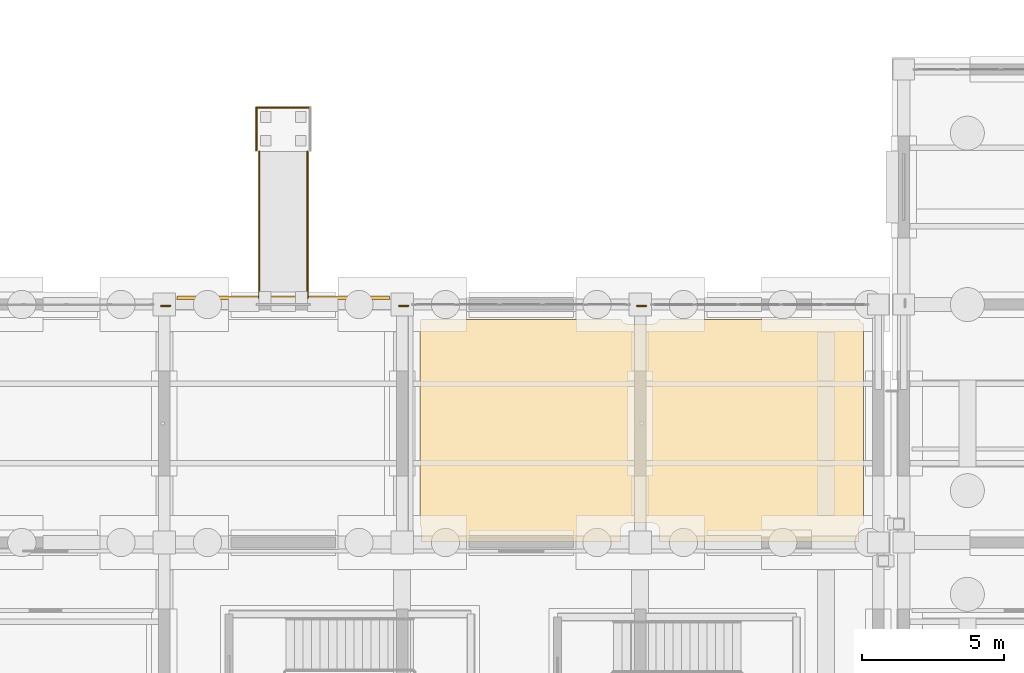
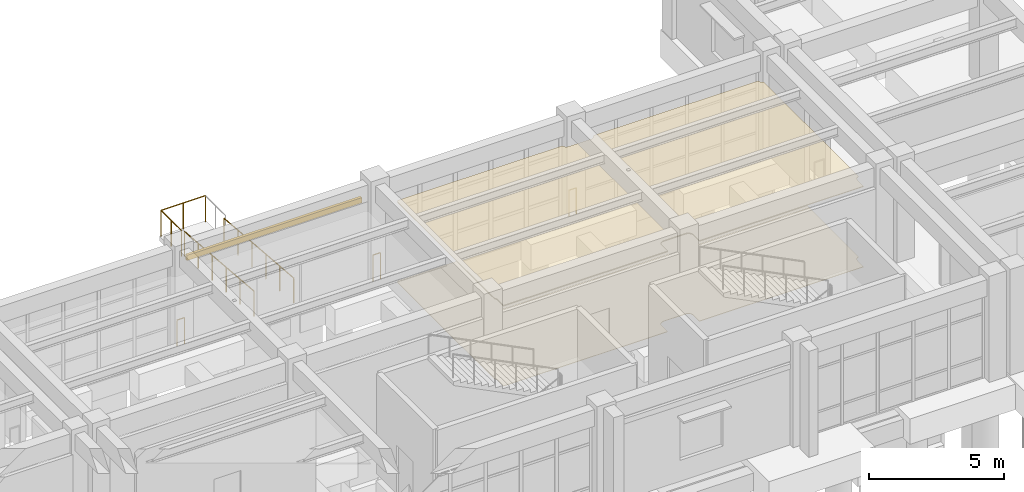
# One storey, part 100 of 111: 7 railings, 3 coverings.
"""IFC4 building model written with IfcOpenShell, lengths in metres."""

from ifc_helpers import new_model, si_unit, direction, frame, origin, origin_2d, place, context, subcontext, project, spatial, polyline, rectangle, circle, outline, extrude, material, layer, layer_set, type_object, element, save


model = new_model("IFC4")

# Units and contexts
model_context = context("Model", 3, precision=1e-05, world=origin(), true_north=direction((0.0, 1.0)))
body_context = subcontext(model_context, "Body", "Model", "MODEL_VIEW")
ifc_project = project(units=[si_unit("LENGTHUNIT", "METRE"), si_unit("AREAUNIT", "SQUARE_METRE"), si_unit("VOLUMEUNIT", "CUBIC_METRE"), si_unit("PLANEANGLEUNIT", "RADIAN"), si_unit("MASSUNIT", "GRAM", prefix="KILO")], contexts=[model_context])

# Site, building, storey
site_placement = place(None, origin())
site = spatial("IfcSite", under=ifc_project, at=site_placement, CompositionType="ELEMENT")
building_placement = place(site_placement, origin())
building = spatial("IfcBuilding", under=site, at=building_placement, Name="Canglan Escarpment Cableway Terminal", CompositionType="ELEMENT")
storey_placement = place(building_placement, frame((0.0, 0.0, 4.800048828125)))
storey = spatial("IfcBuildingStorey", under=building, at=storey_placement, Name="L01", CompositionType="ELEMENT", Elevation=4.800048828125)

# Coverings
ifc_material_1 = material(Name="Moisture-resistant acoustic gypsum ceiling", Category="gypsum")
ifc_layer_1 = layer(ifc_material_1, 0.030029296875, Name="Moisture-resistant acoustic gypsum ceiling")
ifc_layer_set_1 = layer_set([ifc_layer_1], Name="Moisture-resistant acoustic gypsum ceiling")
covering_type_1 = type_object("IfcCoveringType", Name="COV-CEIL-GYPSUM-30", PredefinedType="CEILING", material=ifc_layer_set_1)
covering_1_placement = place(storey_placement, frame((0.0, 0.0, 3.639892578125)))
element("IfcCovering", 1, at=covering_1_placement, inside=storey, type_object=covering_type_1, Name="Souvenir Arcade suspended acoustic ceiling", PredefinedType="CEILING", context=body_context, shape_type="SweptSolid", body=[
    extrude(outline(polyline([(94.419921875, 24.181640625), (94.420166015625, 24.18359375), (94.42041015625, 24.185791015625), (94.4208984375, 24.187744140625), (94.421630859375, 24.189697265625), (94.422607421875, 24.191650390625), (94.423828125, 24.193359375), (94.42529296875, 24.195068359375), (94.4296875, 24.2001953125), (94.430419921875, 24.20068359375), (94.442626953125, 24.21728515625), (94.443115234375, 24.21826171875), (94.453857421875, 24.23583984375), (94.4541015625, 24.23681640625), (94.462890625, 24.25537109375), (94.46337890625, 24.25634765625), (94.46728515625, 24.2666015625), (94.468017578125, 24.2685546875), (94.46875, 24.270263671875), (94.4697265625, 24.271728515625), (94.470947265625, 24.273193359375), (94.472412109375, 24.274658203125), (94.4736328125, 24.27587890625), (94.475341796875, 24.27685546875), (94.476806640625, 24.27783203125), (94.478515625, 24.278564453125), (94.48046875, 24.279296875), (94.482177734375, 24.279541015625), (94.484130859375, 24.27978515625), (94.486083984375, 24.280029296875), (101.513916015625, 24.280029296875), (101.515869140625, 24.27978515625), (101.517822265625, 24.279541015625), (101.51953125, 24.279296875), (101.521484375, 24.278564453125), (101.523193359375, 24.27783203125), (101.524658203125, 24.27685546875), (101.5263671875, 24.27587890625), (101.527587890625, 24.274658203125), (101.529052734375, 24.273193359375), (101.5302734375, 24.271728515625), (101.53125, 24.270263671875), (101.531982421875, 24.2685546875), (101.53271484375, 24.2666015625), (101.53662109375, 24.25634765625), (101.537109375, 24.25537109375), (101.5458984375, 24.23681640625), (101.546142578125, 24.23583984375), (101.556884765625, 24.21826171875), (101.557373046875, 24.21728515625), (101.569580078125, 24.20068359375), (101.5703125, 24.2001953125), (101.583984375, 24.184814453125), (101.584716796875, 24.18408203125), (101.60009765625, 24.17041015625), (101.600830078125, 24.169677734375), (101.617431640625, 24.157470703125), (101.6181640625, 24.15673828125), (101.635986328125, 24.146240234375), (101.63671875, 24.145751953125), (101.655517578125, 24.136962890625), (101.65625, 24.13671875), (101.67578125, 24.129638671875), (101.676513671875, 24.12939453125), (101.696533203125, 24.124267578125), (101.697509765625, 24.124267578125), (101.718017578125, 24.12109375), (101.718994140625, 24.12109375), (101.73974609375, 24.1201171875), (101.740234375, 24.1201171875), (102.659912109375, 24.1201171875), (102.66015625, 24.1201171875), (102.68115234375, 24.12109375), (102.681884765625, 24.12109375), (102.702392578125, 24.124267578125), (102.703369140625, 24.124267578125), (102.723388671875, 24.12939453125), (102.724365234375, 24.129638671875), (102.74365234375, 24.13671875), (102.74462890625, 24.136962890625), (102.76318359375, 24.145751953125), (102.76416015625, 24.146240234375), (102.78173828125, 24.15673828125), (102.78271484375, 24.157470703125), (102.79931640625, 24.169677734375), (102.7998046875, 24.17041015625), (102.815185546875, 24.18408203125), (102.81591796875, 24.184814453125), (102.82958984375, 24.2001953125), (102.830322265625, 24.20068359375), (102.842529296875, 24.21728515625), (102.84326171875, 24.21826171875), (102.853759765625, 24.23583984375), (102.854248046875, 24.23681640625), (102.863037109375, 24.25537109375), (102.86328125, 24.25634765625), (102.8671875, 24.2666015625), (102.867919921875, 24.2685546875), (102.868896484375, 24.270263671875), (102.869873046875, 24.271728515625), (102.87109375, 24.273193359375), (102.872314453125, 24.274658203125), (102.873779296875, 24.27587890625), (102.875244140625, 24.27685546875), (102.876953125, 24.27783203125), (102.878662109375, 24.278564453125), (102.88037109375, 24.279296875), (102.882080078125, 24.279541015625), (102.884033203125, 24.27978515625), (102.885986328125, 24.280029296875), (109.9140625, 24.280029296875), (109.916015625, 24.27978515625), (109.917724609375, 24.279541015625), (109.919677734375, 24.279296875), (109.92138671875, 24.278564453125), (109.923095703125, 24.27783203125), (109.9248046875, 24.27685546875), (109.92626953125, 24.27587890625), (109.927734375, 24.274658203125), (109.928955078125, 24.273193359375), (109.93017578125, 24.271728515625), (109.93115234375, 24.270263671875), (109.93212890625, 24.2685546875), (109.932861328125, 24.2666015625), (109.9365234375, 24.25634765625), (109.93701171875, 24.25537109375), (109.94580078125, 24.23681640625), (109.9462890625, 24.23583984375), (109.956787109375, 24.21826171875), (109.95751953125, 24.21728515625), (109.969482421875, 24.20068359375), (109.97021484375, 24.2001953125), (109.984130859375, 24.184814453125), (109.98486328125, 24.18408203125), (110.0, 24.17041015625), (110.000732421875, 24.169677734375), (110.017333984375, 24.157470703125), (110.018310546875, 24.15673828125), (110.035888671875, 24.146240234375), (110.03662109375, 24.145751953125), (110.055419921875, 24.136962890625), (110.056396484375, 24.13671875), (110.066650390625, 24.1328125), (110.068603515625, 24.132080078125), (110.0703125, 24.131103515625), (110.07177734375, 24.130126953125), (110.0732421875, 24.12890625), (110.07470703125, 24.127685546875), (110.07568359375, 24.126220703125), (110.076904296875, 24.124755859375), (110.077880859375, 24.123046875), (110.07861328125, 24.121337890625), (110.0791015625, 24.11962890625), (110.07958984375, 24.117919921875), (110.079833984375, 24.115966796875), (110.080078125, 24.114013671875), (110.080078125, 17.0859375), (110.079833984375, 17.083984375), (110.07958984375, 17.082275390625), (110.0791015625, 17.080322265625), (110.07861328125, 17.07861328125), (110.077880859375, 17.076904296875), (110.076904296875, 17.0751953125), (110.07568359375, 17.07373046875), (110.07470703125, 17.072265625), (110.0732421875, 17.071044921875), (110.07177734375, 17.06982421875), (110.0703125, 17.06884765625), (110.068603515625, 17.06787109375), (110.066650390625, 17.067138671875), (110.056396484375, 17.0634765625), (110.055419921875, 17.06298828125), (110.03662109375, 17.05419921875), (110.035888671875, 17.0537109375), (110.018310546875, 17.043212890625), (110.017333984375, 17.04248046875), (110.000732421875, 17.030517578125), (110.0, 17.02978515625), (109.98486328125, 17.015869140625), (109.984130859375, 17.01513671875), (109.97021484375, 17.0), (109.969482421875, 16.999267578125), (109.95751953125, 16.982666015625), (109.956787109375, 16.981689453125), (109.9462890625, 16.964111328125), (109.94580078125, 16.96337890625), (109.93701171875, 16.944580078125), (109.9365234375, 16.943603515625), (109.9296875, 16.92431640625), (109.929443359375, 16.92333984375), (109.92431640625, 16.9033203125), (109.92431640625, 16.90234375), (109.921142578125, 16.882080078125), (109.9208984375, 16.881103515625), (109.919921875, 16.860107421875), (109.919921875, 16.85986328125), (109.919921875, 16.43994140625), (109.919921875, 16.43798828125), (109.919677734375, 16.43603515625), (109.919189453125, 16.43408203125), (109.91845703125, 16.432373046875), (109.91748046875, 16.4306640625), (109.91650390625, 16.428955078125), (109.91552734375, 16.42724609375), (109.9140625, 16.42578125), (109.91259765625, 16.424560546875), (109.9111328125, 16.42333984375), (109.909423828125, 16.42236328125), (109.90771484375, 16.42138671875), (109.90576171875, 16.4208984375), (109.90380859375, 16.42041015625), (109.902099609375, 16.420166015625), (109.89990234375, 16.419921875), (102.89990234375, 16.419921875), (102.89794921875, 16.420166015625), (102.89599609375, 16.42041015625), (102.894287109375, 16.4208984375), (102.892333984375, 16.42138671875), (102.890625, 16.42236328125), (102.888916015625, 16.42333984375), (102.88720703125, 16.424560546875), (102.885986328125, 16.42578125), (102.884521484375, 16.42724609375), (102.88330078125, 16.428955078125), (102.88232421875, 16.4306640625), (102.881591796875, 16.432373046875), (102.880859375, 16.43408203125), (102.88037109375, 16.43603515625), (102.880126953125, 16.43798828125), (102.8798828125, 16.43994140625), (102.8798828125, 16.85986328125), (102.8798828125, 16.860107421875), (102.87890625, 16.881103515625), (102.87890625, 16.882080078125), (102.875732421875, 16.90234375), (102.875732421875, 16.9033203125), (102.87060546875, 16.92333984375), (102.870361328125, 16.92431640625), (102.86328125, 16.943603515625), (102.863037109375, 16.944580078125), (102.854248046875, 16.96337890625), (102.853759765625, 16.964111328125), (102.84326171875, 16.981689453125), (102.842529296875, 16.982666015625), (102.830322265625, 16.999267578125), (102.82958984375, 17.0), (102.81591796875, 17.01513671875), (102.815185546875, 17.015869140625), (102.7998046875, 17.02978515625), (102.79931640625, 17.030517578125), (102.78271484375, 17.04248046875), (102.78173828125, 17.043212890625), (102.76416015625, 17.0537109375), (102.76318359375, 17.05419921875), (102.74462890625, 17.06298828125), (102.74365234375, 17.0634765625), (102.724365234375, 17.0703125), (102.723388671875, 17.070556640625), (102.703369140625, 17.07568359375), (102.702392578125, 17.07568359375), (102.681884765625, 17.078857421875), (102.68115234375, 17.0791015625), (102.66015625, 17.080078125), (102.659912109375, 17.080078125), (101.740234375, 17.080078125), (101.73974609375, 17.080078125), (101.718994140625, 17.0791015625), (101.718017578125, 17.078857421875), (101.697509765625, 17.07568359375), (101.696533203125, 17.07568359375), (101.676513671875, 17.070556640625), (101.67578125, 17.0703125), (101.65625, 17.0634765625), (101.655517578125, 17.06298828125), (101.63671875, 17.05419921875), (101.635986328125, 17.0537109375), (101.6181640625, 17.043212890625), (101.617431640625, 17.04248046875), (101.600830078125, 17.030517578125), (101.60009765625, 17.02978515625), (101.584716796875, 17.015869140625), (101.583984375, 17.01513671875), (101.5703125, 17.0), (101.569580078125, 16.999267578125), (101.557373046875, 16.982666015625), (101.556884765625, 16.981689453125), (101.546142578125, 16.964111328125), (101.5458984375, 16.96337890625), (101.537109375, 16.944580078125), (101.53662109375, 16.943603515625), (101.529541015625, 16.92431640625), (101.529296875, 16.92333984375), (101.5244140625, 16.9033203125), (101.524169921875, 16.90234375), (101.52099609375, 16.882080078125), (101.52099609375, 16.881103515625), (101.52001953125, 16.860107421875), (101.52001953125, 16.85986328125), (101.52001953125, 16.43994140625), (101.52001953125, 16.43798828125), (101.51953125, 16.43603515625), (101.51904296875, 16.43408203125), (101.5185546875, 16.432373046875), (101.517578125, 16.4306640625), (101.5166015625, 16.428955078125), (101.515380859375, 16.42724609375), (101.51416015625, 16.42578125), (101.5126953125, 16.424560546875), (101.510986328125, 16.42333984375), (101.509521484375, 16.42236328125), (101.5078125, 16.42138671875), (101.505859375, 16.4208984375), (101.50390625, 16.42041015625), (101.501953125, 16.420166015625), (101.5, 16.419921875), (94.5, 16.419921875), (94.498046875, 16.420166015625), (94.49609375, 16.42041015625), (94.494140625, 16.4208984375), (94.4921875, 16.42138671875), (94.490478515625, 16.42236328125), (94.489013671875, 16.42333984375), (94.4873046875, 16.424560546875), (94.48583984375, 16.42578125), (94.484619140625, 16.42724609375), (94.4833984375, 16.428955078125), (94.482421875, 16.4306640625), (94.4814453125, 16.432373046875), (94.48095703125, 16.43408203125), (94.48046875, 16.43603515625), (94.47998046875, 16.43798828125), (94.47998046875, 16.43994140625), (94.47998046875, 16.85986328125), (94.47998046875, 16.860107421875), (94.47900390625, 16.881103515625), (94.47900390625, 16.882080078125), (94.475830078125, 16.90234375), (94.4755859375, 16.9033203125), (94.470703125, 16.92333984375), (94.470458984375, 16.92431640625), (94.46337890625, 16.943603515625), (94.462890625, 16.944580078125), (94.4541015625, 16.96337890625), (94.453857421875, 16.964111328125), (94.443115234375, 16.981689453125), (94.442626953125, 16.982666015625), (94.430419921875, 16.999267578125), (94.4296875, 17.0), (94.42529296875, 17.0048828125), (94.423828125, 17.006591796875), (94.422607421875, 17.00830078125), (94.421630859375, 17.01025390625), (94.4208984375, 17.01220703125), (94.42041015625, 17.01416015625), (94.420166015625, 17.016357421875), (94.419921875, 17.018310546875), (94.419921875, 24.181640625)])), origin(), (0.0, 0.0, 1.0), 0.030029296875),
])
ifc_material_2 = material(Name="Carved classical limestone cornice", Category="masonry")
ifc_layer_2 = layer(ifc_material_2, 0.1201171875, Name="Carved classical limestone cornice")
ifc_layer_set_2 = layer_set([ifc_layer_2], Name="Carved classical limestone cornice")
covering_type_2 = type_object("IfcCoveringType", Name="COV-CORNICE-STONE", PredefinedType="CLADDING", material=ifc_layer_set_2)
covering_2_placement = place(storey_placement, frame((89.60009765625, 25.0400390625, 3.52490234375), z_axis=(0.0, 0.0, 1.0), x_axis=(-1.0, 0.0, 0.0)))
element("IfcCovering", 2, at=covering_2_placement, inside=storey, type_object=covering_type_2, Name="Classical carved limestone cornice CL-01", PredefinedType="CLADDING", context=body_context, shape_type="SweptSolid", body=[
    extrude(rectangle(XDim=7.5, YDim=0.1201171875, at=origin_2d()), origin(), (0.0, 0.0, 1.0), 0.239990234375),
])
ifc_material_3 = material(Name="Polished mineral terrazzo flooring", Category="concrete")
ifc_layer_3 = layer(ifc_material_3, 0.02001953125, Name="Polished mineral terrazzo flooring")
ifc_layer_set_3 = layer_set([ifc_layer_3], Name="Polished mineral terrazzo flooring")
covering_type_3 = type_object("IfcCoveringType", Name="COV-FLR-TERRAZZO-20", PredefinedType="FLOORING", material=ifc_layer_set_3)
covering_3_placement = place(storey_placement, origin())
element("IfcCovering", 3, at=covering_3_placement, inside=storey, type_object=covering_type_3, Name="Souvenir Arcade stone floor finish", PredefinedType="FLOORING", context=body_context, shape_type="SweptSolid", body=[
    extrude(outline(polyline([(94.419921875, 24.181640625), (94.420166015625, 24.18359375), (94.42041015625, 24.185791015625), (94.4208984375, 24.187744140625), (94.421630859375, 24.189697265625), (94.422607421875, 24.191650390625), (94.423828125, 24.193359375), (94.42529296875, 24.195068359375), (94.4296875, 24.2001953125), (94.430419921875, 24.20068359375), (94.442626953125, 24.21728515625), (94.443115234375, 24.21826171875), (94.453857421875, 24.23583984375), (94.4541015625, 24.23681640625), (94.462890625, 24.25537109375), (94.46337890625, 24.25634765625), (94.46728515625, 24.2666015625), (94.468017578125, 24.2685546875), (94.46875, 24.270263671875), (94.4697265625, 24.271728515625), (94.470947265625, 24.273193359375), (94.472412109375, 24.274658203125), (94.4736328125, 24.27587890625), (94.475341796875, 24.27685546875), (94.476806640625, 24.27783203125), (94.478515625, 24.278564453125), (94.48046875, 24.279296875), (94.482177734375, 24.279541015625), (94.484130859375, 24.27978515625), (94.486083984375, 24.280029296875), (101.513916015625, 24.280029296875), (101.515869140625, 24.27978515625), (101.517822265625, 24.279541015625), (101.51953125, 24.279296875), (101.521484375, 24.278564453125), (101.523193359375, 24.27783203125), (101.524658203125, 24.27685546875), (101.5263671875, 24.27587890625), (101.527587890625, 24.274658203125), (101.529052734375, 24.273193359375), (101.5302734375, 24.271728515625), (101.53125, 24.270263671875), (101.531982421875, 24.2685546875), (101.53271484375, 24.2666015625), (101.53662109375, 24.25634765625), (101.537109375, 24.25537109375), (101.5458984375, 24.23681640625), (101.546142578125, 24.23583984375), (101.556884765625, 24.21826171875), (101.557373046875, 24.21728515625), (101.569580078125, 24.20068359375), (101.5703125, 24.2001953125), (101.583984375, 24.184814453125), (101.584716796875, 24.18408203125), (101.60009765625, 24.17041015625), (101.600830078125, 24.169677734375), (101.617431640625, 24.157470703125), (101.6181640625, 24.15673828125), (101.635986328125, 24.146240234375), (101.63671875, 24.145751953125), (101.655517578125, 24.136962890625), (101.65625, 24.13671875), (101.67578125, 24.129638671875), (101.676513671875, 24.12939453125), (101.696533203125, 24.124267578125), (101.697509765625, 24.124267578125), (101.718017578125, 24.12109375), (101.718994140625, 24.12109375), (101.73974609375, 24.1201171875), (101.740234375, 24.1201171875), (102.659912109375, 24.1201171875), (102.66015625, 24.1201171875), (102.68115234375, 24.12109375), (102.681884765625, 24.12109375), (102.702392578125, 24.124267578125), (102.703369140625, 24.124267578125), (102.723388671875, 24.12939453125), (102.724365234375, 24.129638671875), (102.74365234375, 24.13671875), (102.74462890625, 24.136962890625), (102.76318359375, 24.145751953125), (102.76416015625, 24.146240234375), (102.78173828125, 24.15673828125), (102.78271484375, 24.157470703125), (102.79931640625, 24.169677734375), (102.7998046875, 24.17041015625), (102.815185546875, 24.18408203125), (102.81591796875, 24.184814453125), (102.82958984375, 24.2001953125), (102.830322265625, 24.20068359375), (102.842529296875, 24.21728515625), (102.84326171875, 24.21826171875), (102.853759765625, 24.23583984375), (102.854248046875, 24.23681640625), (102.863037109375, 24.25537109375), (102.86328125, 24.25634765625), (102.8671875, 24.2666015625), (102.867919921875, 24.2685546875), (102.868896484375, 24.270263671875), (102.869873046875, 24.271728515625), (102.87109375, 24.273193359375), (102.872314453125, 24.274658203125), (102.873779296875, 24.27587890625), (102.875244140625, 24.27685546875), (102.876953125, 24.27783203125), (102.878662109375, 24.278564453125), (102.88037109375, 24.279296875), (102.882080078125, 24.279541015625), (102.884033203125, 24.27978515625), (102.885986328125, 24.280029296875), (109.9140625, 24.280029296875), (109.916015625, 24.27978515625), (109.917724609375, 24.279541015625), (109.919677734375, 24.279296875), (109.92138671875, 24.278564453125), (109.923095703125, 24.27783203125), (109.9248046875, 24.27685546875), (109.92626953125, 24.27587890625), (109.927734375, 24.274658203125), (109.928955078125, 24.273193359375), (109.93017578125, 24.271728515625), (109.93115234375, 24.270263671875), (109.93212890625, 24.2685546875), (109.932861328125, 24.2666015625), (109.9365234375, 24.25634765625), (109.93701171875, 24.25537109375), (109.94580078125, 24.23681640625), (109.9462890625, 24.23583984375), (109.956787109375, 24.21826171875), (109.95751953125, 24.21728515625), (109.969482421875, 24.20068359375), (109.97021484375, 24.2001953125), (109.984130859375, 24.184814453125), (109.98486328125, 24.18408203125), (110.0, 24.17041015625), (110.000732421875, 24.169677734375), (110.017333984375, 24.157470703125), (110.018310546875, 24.15673828125), (110.035888671875, 24.146240234375), (110.03662109375, 24.145751953125), (110.055419921875, 24.136962890625), (110.056396484375, 24.13671875), (110.066650390625, 24.1328125), (110.068603515625, 24.132080078125), (110.0703125, 24.131103515625), (110.07177734375, 24.130126953125), (110.0732421875, 24.12890625), (110.07470703125, 24.127685546875), (110.07568359375, 24.126220703125), (110.076904296875, 24.124755859375), (110.077880859375, 24.123046875), (110.07861328125, 24.121337890625), (110.0791015625, 24.11962890625), (110.07958984375, 24.117919921875), (110.079833984375, 24.115966796875), (110.080078125, 24.114013671875), (110.080078125, 17.0859375), (110.079833984375, 17.083984375), (110.07958984375, 17.082275390625), (110.0791015625, 17.080322265625), (110.07861328125, 17.07861328125), (110.077880859375, 17.076904296875), (110.076904296875, 17.0751953125), (110.07568359375, 17.07373046875), (110.07470703125, 17.072265625), (110.0732421875, 17.071044921875), (110.07177734375, 17.06982421875), (110.0703125, 17.06884765625), (110.068603515625, 17.06787109375), (110.066650390625, 17.067138671875), (110.056396484375, 17.0634765625), (110.055419921875, 17.06298828125), (110.03662109375, 17.05419921875), (110.035888671875, 17.0537109375), (110.018310546875, 17.043212890625), (110.017333984375, 17.04248046875), (110.000732421875, 17.030517578125), (110.0, 17.02978515625), (109.98486328125, 17.015869140625), (109.984130859375, 17.01513671875), (109.97021484375, 17.0), (109.969482421875, 16.999267578125), (109.95751953125, 16.982666015625), (109.956787109375, 16.981689453125), (109.9462890625, 16.964111328125), (109.94580078125, 16.96337890625), (109.93701171875, 16.944580078125), (109.9365234375, 16.943603515625), (109.9296875, 16.92431640625), (109.929443359375, 16.92333984375), (109.92431640625, 16.9033203125), (109.92431640625, 16.90234375), (109.921142578125, 16.882080078125), (109.9208984375, 16.881103515625), (109.919921875, 16.860107421875), (109.919921875, 16.85986328125), (109.919921875, 16.43994140625), (109.919921875, 16.43798828125), (109.919677734375, 16.43603515625), (109.919189453125, 16.43408203125), (109.91845703125, 16.432373046875), (109.91748046875, 16.4306640625), (109.91650390625, 16.428955078125), (109.91552734375, 16.42724609375), (109.9140625, 16.42578125), (109.91259765625, 16.424560546875), (109.9111328125, 16.42333984375), (109.909423828125, 16.42236328125), (109.90771484375, 16.42138671875), (109.90576171875, 16.4208984375), (109.90380859375, 16.42041015625), (109.902099609375, 16.420166015625), (109.89990234375, 16.419921875), (102.89990234375, 16.419921875), (102.89794921875, 16.420166015625), (102.89599609375, 16.42041015625), (102.894287109375, 16.4208984375), (102.892333984375, 16.42138671875), (102.890625, 16.42236328125), (102.888916015625, 16.42333984375), (102.88720703125, 16.424560546875), (102.885986328125, 16.42578125), (102.884521484375, 16.42724609375), (102.88330078125, 16.428955078125), (102.88232421875, 16.4306640625), (102.881591796875, 16.432373046875), (102.880859375, 16.43408203125), (102.88037109375, 16.43603515625), (102.880126953125, 16.43798828125), (102.8798828125, 16.43994140625), (102.8798828125, 16.85986328125), (102.8798828125, 16.860107421875), (102.87890625, 16.881103515625), (102.87890625, 16.882080078125), (102.875732421875, 16.90234375), (102.875732421875, 16.9033203125), (102.87060546875, 16.92333984375), (102.870361328125, 16.92431640625), (102.86328125, 16.943603515625), (102.863037109375, 16.944580078125), (102.854248046875, 16.96337890625), (102.853759765625, 16.964111328125), (102.84326171875, 16.981689453125), (102.842529296875, 16.982666015625), (102.830322265625, 16.999267578125), (102.82958984375, 17.0), (102.81591796875, 17.01513671875), (102.815185546875, 17.015869140625), (102.7998046875, 17.02978515625), (102.79931640625, 17.030517578125), (102.78271484375, 17.04248046875), (102.78173828125, 17.043212890625), (102.76416015625, 17.0537109375), (102.76318359375, 17.05419921875), (102.74462890625, 17.06298828125), (102.74365234375, 17.0634765625), (102.724365234375, 17.0703125), (102.723388671875, 17.070556640625), (102.703369140625, 17.07568359375), (102.702392578125, 17.07568359375), (102.681884765625, 17.078857421875), (102.68115234375, 17.0791015625), (102.66015625, 17.080078125), (102.659912109375, 17.080078125), (101.740234375, 17.080078125), (101.73974609375, 17.080078125), (101.718994140625, 17.0791015625), (101.718017578125, 17.078857421875), (101.697509765625, 17.07568359375), (101.696533203125, 17.07568359375), (101.676513671875, 17.070556640625), (101.67578125, 17.0703125), (101.65625, 17.0634765625), (101.655517578125, 17.06298828125), (101.63671875, 17.05419921875), (101.635986328125, 17.0537109375), (101.6181640625, 17.043212890625), (101.617431640625, 17.04248046875), (101.600830078125, 17.030517578125), (101.60009765625, 17.02978515625), (101.584716796875, 17.015869140625), (101.583984375, 17.01513671875), (101.5703125, 17.0), (101.569580078125, 16.999267578125), (101.557373046875, 16.982666015625), (101.556884765625, 16.981689453125), (101.546142578125, 16.964111328125), (101.5458984375, 16.96337890625), (101.537109375, 16.944580078125), (101.53662109375, 16.943603515625), (101.529541015625, 16.92431640625), (101.529296875, 16.92333984375), (101.5244140625, 16.9033203125), (101.524169921875, 16.90234375), (101.52099609375, 16.882080078125), (101.52099609375, 16.881103515625), (101.52001953125, 16.860107421875), (101.52001953125, 16.85986328125), (101.52001953125, 16.43994140625), (101.52001953125, 16.43798828125), (101.51953125, 16.43603515625), (101.51904296875, 16.43408203125), (101.5185546875, 16.432373046875), (101.517578125, 16.4306640625), (101.5166015625, 16.428955078125), (101.515380859375, 16.42724609375), (101.51416015625, 16.42578125), (101.5126953125, 16.424560546875), (101.510986328125, 16.42333984375), (101.509521484375, 16.42236328125), (101.5078125, 16.42138671875), (101.505859375, 16.4208984375), (101.50390625, 16.42041015625), (101.501953125, 16.420166015625), (101.5, 16.419921875), (94.5, 16.419921875), (94.498046875, 16.420166015625), (94.49609375, 16.42041015625), (94.494140625, 16.4208984375), (94.4921875, 16.42138671875), (94.490478515625, 16.42236328125), (94.489013671875, 16.42333984375), (94.4873046875, 16.424560546875), (94.48583984375, 16.42578125), (94.484619140625, 16.42724609375), (94.4833984375, 16.428955078125), (94.482421875, 16.4306640625), (94.4814453125, 16.432373046875), (94.48095703125, 16.43408203125), (94.48046875, 16.43603515625), (94.47998046875, 16.43798828125), (94.47998046875, 16.43994140625), (94.47998046875, 16.85986328125), (94.47998046875, 16.860107421875), (94.47900390625, 16.881103515625), (94.47900390625, 16.882080078125), (94.475830078125, 16.90234375), (94.4755859375, 16.9033203125), (94.470703125, 16.92333984375), (94.470458984375, 16.92431640625), (94.46337890625, 16.943603515625), (94.462890625, 16.944580078125), (94.4541015625, 16.96337890625), (94.453857421875, 16.964111328125), (94.443115234375, 16.981689453125), (94.442626953125, 16.982666015625), (94.430419921875, 16.999267578125), (94.4296875, 17.0), (94.42529296875, 17.0048828125), (94.423828125, 17.006591796875), (94.422607421875, 17.00830078125), (94.421630859375, 17.01025390625), (94.4208984375, 17.01220703125), (94.42041015625, 17.01416015625), (94.420166015625, 17.016357421875), (94.419921875, 17.018310546875), (94.419921875, 24.181640625)])), origin(), (0.0, 0.0, 1.0), 0.02001953125),
])

# Railings
ifc_material_4 = material(Name="Carved limestone and anodized bronze balustrade", Category="masonry")
railing_type_1 = type_object("IfcRailingType", Name="RL-EXT-BALUSTRADE-1200", PredefinedType="BALUSTRADE", material=ifc_material_4)
railing_1_placement = place(storey_placement, frame((90.550048828125, 31.75, -0.449951171875)))
element("IfcRailing", 4, at=railing_1_placement, inside=storey, type_object=railing_type_1, Name="Accessible Bench Courtyard Ramp 3 landing guard 3", PredefinedType="BALUSTRADE", context=body_context, shape_type="SweptSolid", body=[
    extrude(circle(Radius=0.02392578125, at=origin_2d()), frame((0.0, 0.0, 1.17578125), z_axis=(-1.0, 0.0, 0.0), x_axis=(0.0, -1.0, 0.0)), (0.0, 0.0, 1.0), 1.900146484375),
    extrude(circle(Radius=0.02099609375, at=origin_2d()), origin(), (0.0, 0.0, 1.0), 1.15185546875),
    extrude(circle(Radius=0.02099609375, at=origin_2d()), frame((-0.9501953125, 0.0, 0.0)), (0.0, 0.0, 1.0), 1.15185546875),
    extrude(circle(Radius=0.02099609375, at=origin_2d()), frame((-1.900146484375, 0.0, 0.0)), (0.0, 0.0, 1.0), 1.15185546875),
])
railing_2_placement = place(storey_placement, frame((88.64990234375, 31.75, -0.449951171875)))
element("IfcRailing", 5, at=railing_2_placement, inside=storey, type_object=railing_type_1, Name="Accessible Bench Courtyard Ramp 3 landing guard 4", PredefinedType="BALUSTRADE", context=body_context, shape_type="SweptSolid", body=[
    extrude(circle(Radius=0.02392578125, at=origin_2d()), frame((0.0, 0.0, 1.17578125), z_axis=(0.0, -1.0, 0.0), x_axis=(1.0, 0.0, 0.0)), (0.0, 0.0, 1.0), 1.5),
    extrude(circle(Radius=0.02099609375, at=origin_2d()), origin(), (0.0, 0.0, 1.0), 1.15185546875),
    extrude(circle(Radius=0.02099609375, at=origin_2d()), frame((0.0, -0.75, 0.0)), (0.0, 0.0, 1.0), 1.15185546875),
    extrude(circle(Radius=0.02099609375, at=origin_2d()), frame((0.0, -1.5, 0.0)), (0.0, 0.0, 1.0), 1.15185546875),
])
for number, where, name in (
    (6, (85.2900390625, 24.75, 0.0), "Classical terrace balustrade guard GD-01 (L01)"),
    (7, (93.68994140625, 24.75, 0.0), "Classical terrace balustrade guard GD-01 (L01)"),
):
    element("IfcRailing", number, at=place(storey_placement, frame(where)), inside=storey, type_object=railing_type_1, Name=name, PredefinedType="BALUSTRADE", context=body_context, shape_type="SweptSolid", body=[
        extrude(circle(Radius=0.02392578125, at=origin_2d()), frame((0.0, 0.0, 1.17578125), z_axis=(1.0, 0.0, 0.0), x_axis=(0.0, 1.0, 0.0)), (0.0, 0.0, 1.0), 0.320068359375),
        extrude(circle(Radius=0.02099609375, at=origin_2d()), origin(), (0.0, 0.0, 1.0), 1.15185546875),
        extrude(circle(Radius=0.02099609375, at=origin_2d()), frame((0.320068359375, 0.0, 0.0)), (0.0, 0.0, 1.0), 1.15185546875),
    ])
railing_3_placement = place(storey_placement, frame((102.090087890625, 24.75, 0.0)))
element("IfcRailing", 8, at=railing_3_placement, inside=storey, type_object=railing_type_1, Name="Classical terrace balustrade guard GD-01 (L01)", PredefinedType="BALUSTRADE", context=body_context, shape_type="SweptSolid", body=[
    extrude(circle(Radius=0.02392578125, at=origin_2d()), frame((0.0, 0.0, 1.17578125), z_axis=(1.0, 0.0, 0.0), x_axis=(0.0, 1.0, 0.0)), (0.0, 0.0, 1.0), 0.31982421875),
    extrude(circle(Radius=0.02099609375, at=origin_2d()), origin(), (0.0, 0.0, 1.0), 1.15185546875),
    extrude(circle(Radius=0.02099609375, at=origin_2d()), frame((0.31982421875, 0.0, 0.0)), (0.0, 0.0, 1.0), 1.15185546875),
])
ifc_material_5 = material(Name="Brushed stainless steel 316 handrail", Category="steel")
railing_type_2 = type_object("IfcRailingType", Name="RL-EXT-HANDRAIL-1150", PredefinedType="HANDRAIL", material=ifc_material_5)
for number, where, name in (
    (9, (88.75, 30.199951171875, -0.449951171875), "Accessible Bench Courtyard Ramp 3 guard-handrail 1"),
    (10, (90.449951171875, 30.199951171875, -0.449951171875), "Accessible Bench Courtyard Ramp 3 guard-handrail 2"),
):
    element("IfcRailing", number, at=place(storey_placement, frame(where)), inside=storey, type_object=railing_type_2, Name=name, PredefinedType="HANDRAIL", context=body_context, shape_type="SweptSolid", body=[
        extrude(circle(Radius=0.02392578125, at=origin_2d()), frame((0.0, 0.0, 1.1259765625), z_axis=(0.0, -0.996584843777, 0.082575112191), x_axis=(1.0, 0.0, 0.0)), (0.0, 0.0, 1.0), 5.19775390625),
        extrude(circle(Radius=0.02099609375, at=origin_2d()), origin(), (0.0, 0.0, 1.0), 1.101806640625),
        extrude(circle(Radius=0.02099609375, at=origin_2d()), frame((0.0, -1.035888671875, 0.0859375)), (0.0, 0.0, 1.0), 1.101806640625),
        extrude(circle(Radius=0.02099609375, at=origin_2d()), frame((0.0, -2.072021484375, 0.171630859375)), (0.0, 0.0, 1.0), 1.101806640625),
        extrude(circle(Radius=0.02099609375, at=origin_2d()), frame((0.0, -3.10791015625, 0.257568359375)), (0.0, 0.0, 1.0), 1.101806640625),
        extrude(circle(Radius=0.02099609375, at=origin_2d()), frame((0.0, -4.14404296875, 0.34326171875)), (0.0, 0.0, 1.0), 1.101806640625),
        extrude(circle(Radius=0.02099609375, at=origin_2d()), frame((0.0, -5.179931640625, 0.42919921875)), (0.0, 0.0, 1.0), 1.101806640625),
    ])

save(model, "model.ifc")
